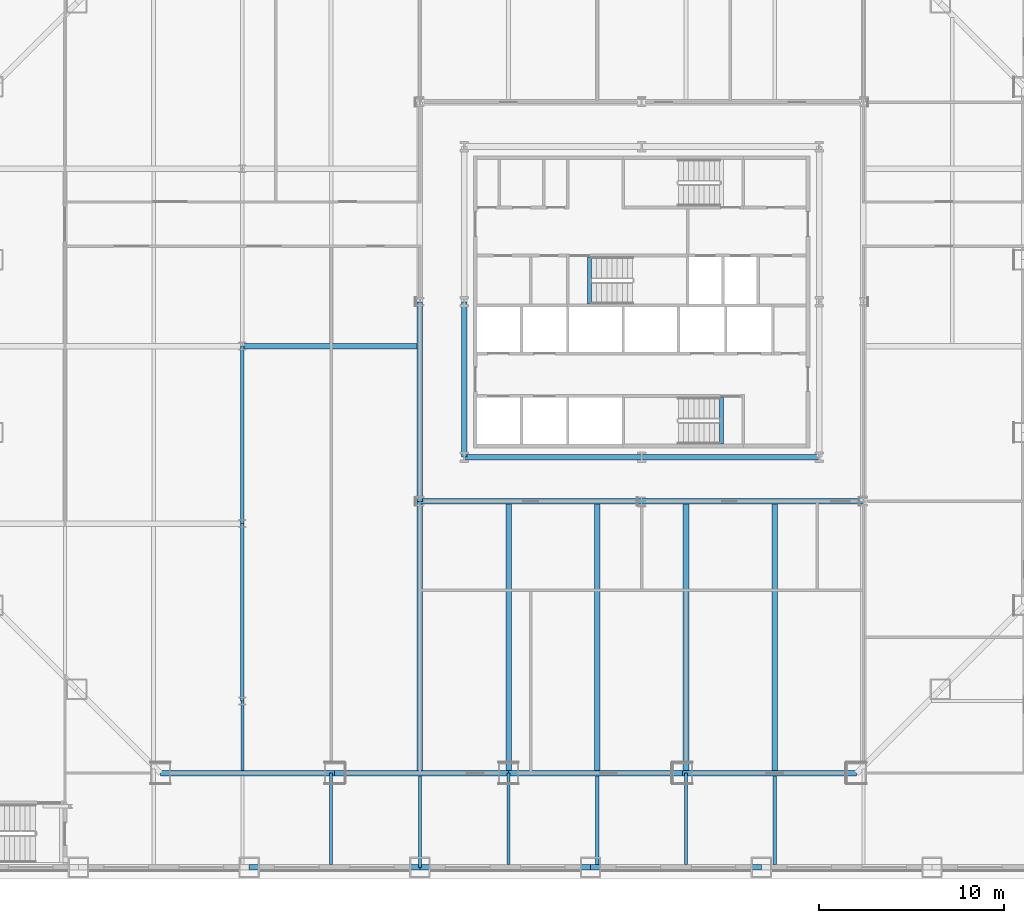
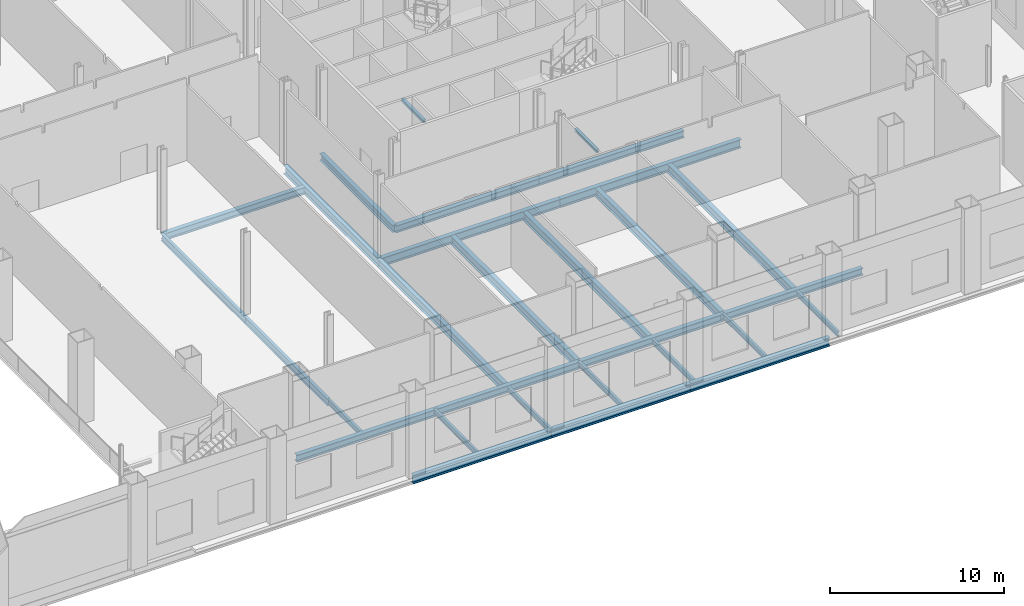
# One storey, part 10 of 31: 30 beams.
"""IFC4 building model written with IfcOpenShell, lengths in metres."""

from ifc_helpers import new_model, si_unit, direction, frame, origin, origin_2d, place, context, subcontext, project, spatial, i_section, extrude, material, material_profile, profile_set, type_object, element, save


model = new_model("IFC4")

# Units and contexts
model_context = context("Model", 3, precision=1e-05, world=origin(), true_north=direction((0.0, 1.0)))
body_context = subcontext(model_context, "Body", "Model", "MODEL_VIEW")
ifc_project = project(units=[si_unit("LENGTHUNIT", "METRE"), si_unit("AREAUNIT", "SQUARE_METRE"), si_unit("VOLUMEUNIT", "CUBIC_METRE"), si_unit("PLANEANGLEUNIT", "RADIAN"), si_unit("MASSUNIT", "GRAM", prefix="KILO")], contexts=[model_context])

# Site, building, storey
site_placement = place(None, origin())
site = spatial("IfcSite", under=ifc_project, at=site_placement, CompositionType="ELEMENT")
building_placement = place(site_placement, origin())
building = spatial("IfcBuilding", under=site, at=building_placement, Name="Cairn Pilgrim Tower", CompositionType="ELEMENT")
storey_placement = place(building_placement, frame((0.0, 0.0, 15.0)))
storey = spatial("IfcBuildingStorey", under=building, at=storey_placement, Name="L02", CompositionType="ELEMENT", Elevation=15.0)

# Beams
ifc_material = material(Name="Structural steel S355J2", Category="steel")
ifc_material_profile_1 = material_profile(ifc_material, i_section(OverallWidth=0.300048828125, OverallDepth=0.60009765625, WebThickness=0.015380859375, FlangeThickness=0.030029296875, FilletRadius=0.027099609375, at=origin_2d()), Name="HEB 600")
ifc_profile_set_1 = profile_set([ifc_material_profile_1], Name="Structural steel S355J2")
beam_type_1 = type_object("IfcBeamType", Name="PODIUM BEAM HE 600 B", PredefinedType="BEAM", material=ifc_profile_set_1)
for number, where, z_axis, x_axis, name in (
    (1, (-4.800048828125, -22.947998046875, -0.5), (0.0, 1.0, 0.0), (-1.0, 0.0, 0.0), "PODIUM BEAM PB-HE600B"),
    (2, (0.0, -23.10009765625, -0.5), (0.0, 1.0, 0.0), (-1.0, 0.0, 0.0), "PODIUM BEAM PB-HE600B"),
):
    element("IfcBeam", number, at=place(storey_placement, frame(where, z_axis=z_axis, x_axis=x_axis)), inside=storey, type_object=beam_type_1, Name=name, PredefinedType="BEAM", context=body_context, shape_type="SweptSolid", body=[
        extrude(i_section(OverallWidth=0.300048828125, OverallDepth=0.60009765625, WebThickness=0.015380859375, FlangeThickness=0.030029296875, FilletRadius=0.027099609375, at=origin_2d()), origin(), (0.0, 0.0, 1.0), 14.548095703125),
    ])
beam_1_placement = place(storey_placement, frame((4.800048828125, -22.947998046875, -0.5), z_axis=(0.0, 1.0, 0.0), x_axis=(-1.0, 0.0, 0.0)))
element("IfcBeam", 3, at=beam_1_placement, inside=storey, type_object=beam_type_1, Name="PODIUM BEAM PB-HE600B", PredefinedType="BEAM", context=body_context, shape_type="SweptSolid", body=[
    extrude(i_section(OverallWidth=0.300048828125, OverallDepth=0.60009765625, WebThickness=0.015380859375, FlangeThickness=0.030029296875, FilletRadius=0.027099609375, at=origin_2d()), origin(), (0.0, 0.0, 1.0), 14.39599609375),
])
beam_2_placement = place(storey_placement, frame((9.60009765625, -23.10009765625, -0.5), z_axis=(0.0, 1.0, 0.0), x_axis=(-1.0, 0.0, 0.0)))
element("IfcBeam", 4, at=beam_2_placement, inside=storey, type_object=beam_type_1, Name="PODIUM BEAM PB-HE600B", PredefinedType="BEAM", context=body_context, shape_type="SweptSolid", body=[
    extrude(i_section(OverallWidth=0.300048828125, OverallDepth=0.60009765625, WebThickness=0.015380859375, FlangeThickness=0.030029296875, FilletRadius=0.027099609375, at=origin_2d()), origin(), (0.0, 0.0, 1.0), 14.548095703125),
])
beam_3_placement = place(storey_placement, frame((14.39990234375, -22.947998046875, -0.5), z_axis=(0.0, 1.0, 0.0), x_axis=(-1.0, 0.0, 0.0)))
element("IfcBeam", 5, at=beam_3_placement, inside=storey, type_object=beam_type_1, Name="PODIUM BEAM PB-HE600B", PredefinedType="BEAM", context=body_context, shape_type="SweptSolid", body=[
    extrude(i_section(OverallWidth=0.300048828125, OverallDepth=0.60009765625, WebThickness=0.015380859375, FlangeThickness=0.030029296875, FilletRadius=0.027099609375, at=origin_2d()), origin(), (0.0, 0.0, 1.0), 14.39599609375),
])
ifc_material_profile_2 = material_profile(ifc_material, i_section(OverallWidth=0.169921875, OverallDepth=0.360107421875, WebThickness=0.008056640625, FlangeThickness=0.0126953125, FilletRadius=0.01806640625, at=origin_2d()), Name="IPE 360")
ifc_profile_set_2 = profile_set([ifc_material_profile_2], Name="Structural steel S355J2")
beam_type_2 = type_object("IfcBeamType", Name="PODIUM BEAM IPE 360", PredefinedType="BEAM", material=ifc_profile_set_2)
beam_4_placement = place(storey_placement, frame((-14.39990234375, -22.947998046875, -0.3798828125), z_axis=(0.0, 1.0, 0.0), x_axis=(-1.0, 0.0, 0.0)))
element("IfcBeam", 6, at=beam_4_placement, inside=storey, type_object=beam_type_2, Name="PODIUM BEAM PB-IPE360", PredefinedType="BEAM", context=body_context, shape_type="SweptSolid", body=[
    extrude(i_section(OverallWidth=0.169921875, OverallDepth=0.360107421875, WebThickness=0.008056640625, FlangeThickness=0.0126953125, FilletRadius=0.01806640625, at=origin_2d()), origin(), (0.0, 0.0, 1.0), 3.748046875),
])
for number, where, z_axis, x_axis, name in (
    (7, (-9.60009765625, -28.048095703125, -0.3798828125), (0.0, 1.0, 0.0), (-1.0, 0.0, 0.0), "PODIUM BEAM PB-IPE360"),
    (8, (-4.800048828125, -28.199951171875, -0.3798828125), (0.0, 1.0, 0.0), (-1.0, 0.0, 0.0), "PODIUM BEAM PB-IPE360"),
    (9, (0.0, -28.048095703125, -0.3798828125), (0.0, 1.0, 0.0), (-1.0, 0.0, 0.0), "PODIUM BEAM PB-IPE360"),
):
    element("IfcBeam", number, at=place(storey_placement, frame(where, z_axis=z_axis, x_axis=x_axis)), inside=storey, type_object=beam_type_2, Name=name, PredefinedType="BEAM", context=body_context, shape_type="SweptSolid", body=[
        extrude(i_section(OverallWidth=0.169921875, OverallDepth=0.360107421875, WebThickness=0.008056640625, FlangeThickness=0.0126953125, FilletRadius=0.01806640625, at=origin_2d()), origin(), (0.0, 0.0, 1.0), 4.947998046875),
    ])
beam_5_placement = place(storey_placement, frame((4.800048828125, -28.048095703125, -0.3798828125), z_axis=(0.0, 1.0, 0.0), x_axis=(-1.0, 0.0, 0.0)))
element("IfcBeam", 10, at=beam_5_placement, inside=storey, type_object=beam_type_2, Name="PODIUM BEAM PB-IPE360", PredefinedType="BEAM", context=body_context, shape_type="SweptSolid", body=[
    extrude(i_section(OverallWidth=0.169921875, OverallDepth=0.360107421875, WebThickness=0.008056640625, FlangeThickness=0.0126953125, FilletRadius=0.01806640625, at=origin_2d()), origin(), (0.0, 0.0, 1.0), 4.796142578125),
])
beam_6_placement = place(storey_placement, frame((9.60009765625, -28.048095703125, -0.3798828125), z_axis=(0.0, 1.0, 0.0), x_axis=(-1.0, 0.0, 0.0)))
element("IfcBeam", 11, at=beam_6_placement, inside=storey, type_object=beam_type_2, Name="PODIUM BEAM PB-IPE360", PredefinedType="BEAM", context=body_context, shape_type="SweptSolid", body=[
    extrude(i_section(OverallWidth=0.169921875, OverallDepth=0.360107421875, WebThickness=0.008056640625, FlangeThickness=0.0126953125, FilletRadius=0.01806640625, at=origin_2d()), origin(), (0.0, 0.0, 1.0), 4.947998046875),
])
beam_7_placement = place(storey_placement, frame((14.39990234375, -28.048095703125, -0.3798828125), z_axis=(0.0, 1.0, 0.0), x_axis=(-1.0, 0.0, 0.0)))
element("IfcBeam", 12, at=beam_7_placement, inside=storey, type_object=beam_type_2, Name="PODIUM BEAM PB-IPE360", PredefinedType="BEAM", context=body_context, shape_type="SweptSolid", body=[
    extrude(i_section(OverallWidth=0.169921875, OverallDepth=0.360107421875, WebThickness=0.008056640625, FlangeThickness=0.0126953125, FilletRadius=0.01806640625, at=origin_2d()), origin(), (0.0, 0.0, 1.0), 4.796142578125),
])
ifc_material_profile_3 = material_profile(ifc_material, i_section(OverallWidth=0.199951171875, OverallDepth=0.5, WebThickness=0.01025390625, FlangeThickness=0.01611328125, FilletRadius=0.02099609375, at=origin_2d()), Name="IPE 500")
ifc_profile_set_3 = profile_set([ifc_material_profile_3], Name="Structural steel S355J2")
beam_type_3 = type_object("IfcBeamType", Name="PODIUM BEAM IPE 500", PredefinedType="BEAM", material=ifc_profile_set_3)
beam_8_placement = place(storey_placement, frame((-14.39990234375, -19.199951171875, -0.449951171875), z_axis=(0.0, 1.0, 0.0), x_axis=(-1.0, 0.0, 0.0)))
element("IfcBeam", 13, at=beam_8_placement, inside=storey, type_object=beam_type_3, Name="PODIUM BEAM PB-IPE500", PredefinedType="BEAM", context=body_context, shape_type="SweptSolid", body=[
    extrude(i_section(OverallWidth=0.199951171875, OverallDepth=0.5, WebThickness=0.01025390625, FlangeThickness=0.01611328125, FilletRadius=0.02099609375, at=origin_2d()), origin(), (0.0, 0.0, 1.0), 9.599853515625),
])
beam_9_placement = place(storey_placement, frame((-14.39990234375, -9.60009765625, -0.449951171875), z_axis=(0.0, 1.0, 0.0), x_axis=(-1.0, 0.0, 0.0)))
element("IfcBeam", 14, at=beam_9_placement, inside=storey, type_object=beam_type_3, Name="PODIUM BEAM PB-IPE500", PredefinedType="BEAM", context=body_context, shape_type="SweptSolid", body=[
    extrude(i_section(OverallWidth=0.199951171875, OverallDepth=0.5, WebThickness=0.01025390625, FlangeThickness=0.01611328125, FilletRadius=0.02099609375, at=origin_2d()), origin(), (0.0, 0.0, 1.0), 9.60009765625),
])
ifc_material_profile_4 = material_profile(ifc_material, i_section(OverallWidth=0.300048828125, OverallDepth=0.60009765625, WebThickness=0.015380859375, FlangeThickness=0.030029296875, FilletRadius=0.027099609375, at=origin_2d()), Name="HEB 600")
ifc_profile_set_4 = profile_set([ifc_material_profile_4], Name="Structural steel S355J2")
beam_type_4 = type_object("IfcBeamType", Name="PODIUM EDGE GIRDER HE 600 B", PredefinedType="BEAM", material=ifc_profile_set_4)
beam_10_placement = place(storey_placement, frame((-14.037841796875, -28.199951171875, -0.5), z_axis=(1.0, 0.0, 0.0), x_axis=(0.0, 1.0, 0.0)))
element("IfcBeam", 15, at=beam_10_placement, inside=storey, type_object=beam_type_4, Name="PODIUM EDGE GIRDER PE-HE600B", PredefinedType="BEAM", context=body_context, shape_type="SweptSolid", body=[
    extrude(i_section(OverallWidth=0.300048828125, OverallDepth=0.60009765625, WebThickness=0.015380859375, FlangeThickness=0.030029296875, FilletRadius=0.027099609375, at=origin_2d()), origin(), (0.0, 0.0, 1.0), 9.23779296875),
])
beam_11_placement = place(storey_placement, frame((-4.800048828125, -28.199951171875, -0.5), z_axis=(1.0, 0.0, 0.0), x_axis=(0.0, 1.0, 0.0)))
element("IfcBeam", 16, at=beam_11_placement, inside=storey, type_object=beam_type_4, Name="PODIUM EDGE GIRDER PE-HE600B", PredefinedType="BEAM", context=body_context, shape_type="SweptSolid", body=[
    extrude(i_section(OverallWidth=0.300048828125, OverallDepth=0.60009765625, WebThickness=0.015380859375, FlangeThickness=0.030029296875, FilletRadius=0.027099609375, at=origin_2d()), origin(), (0.0, 0.0, 1.0), 9.238037109375),
])
beam_12_placement = place(storey_placement, frame((4.43798828125, -28.199951171875, -0.5), z_axis=(1.0, 0.0, 0.0), x_axis=(0.0, 1.0, 0.0)))
element("IfcBeam", 17, at=beam_12_placement, inside=storey, type_object=beam_type_4, Name="PODIUM EDGE GIRDER PE-HE600B", PredefinedType="BEAM", context=body_context, shape_type="SweptSolid", body=[
    extrude(i_section(OverallWidth=0.300048828125, OverallDepth=0.60009765625, WebThickness=0.015380859375, FlangeThickness=0.030029296875, FilletRadius=0.027099609375, at=origin_2d()), origin(), (0.0, 0.0, 1.0), 9.23779296875),
])
ifc_material_profile_5 = material_profile(ifc_material, i_section(OverallWidth=0.300048828125, OverallDepth=0.5, WebThickness=0.014404296875, FlangeThickness=0.028076171875, FilletRadius=0.027099609375, at=origin_2d()), Name="HEB 500")
ifc_profile_set_5 = profile_set([ifc_material_profile_5], Name="Structural steel S355J2")
beam_type_5 = type_object("IfcBeamType", Name="PODIUM GIRDER HE 500 B", PredefinedType="BEAM", material=ifc_profile_set_5)
for number, where, z_axis, x_axis, name in (
    (18, (-18.8271484375, -23.10009765625, -0.449951171875), (1.0, 0.0, 0.0), (0.0, 1.0, 0.0), "PODIUM GIRDER PG-HE500B"),
    (19, (-9.41357421875, -23.10009765625, -0.449951171875), (1.0, 0.0, 0.0), (0.0, 1.0, 0.0), "PODIUM GIRDER PG-HE500B"),
    (20, (0.0, -23.10009765625, -0.449951171875), (1.0, 0.0, 0.0), (0.0, 1.0, 0.0), "PODIUM GIRDER PG-HE500B"),
    (21, (9.41357421875, -23.10009765625, -0.449951171875), (1.0, 0.0, 0.0), (0.0, 1.0, 0.0), "PODIUM GIRDER PG-HE500B"),
):
    element("IfcBeam", number, at=place(storey_placement, frame(where, z_axis=z_axis, x_axis=x_axis)), inside=storey, type_object=beam_type_5, Name=name, PredefinedType="BEAM", context=body_context, shape_type="SweptSolid", body=[
        extrude(i_section(OverallWidth=0.300048828125, OverallDepth=0.5, WebThickness=0.014404296875, FlangeThickness=0.028076171875, FilletRadius=0.027099609375, at=origin_2d()), origin(), (0.0, 0.0, 1.0), 9.41357421875),
    ])
beam_13_placement = place(storey_placement, frame((-2.39990234375, 2.39990234375, -0.449951171875), z_axis=(0.0, -1.0, 0.0), x_axis=(1.0, 0.0, 0.0)))
element("IfcBeam", 22, at=beam_13_placement, inside=storey, type_object=beam_type_5, Name="PODIUM GIRDER PG-HE500B", PredefinedType="BEAM", context=body_context, shape_type="SweptSolid", body=[
    extrude(i_section(OverallWidth=0.300048828125, OverallDepth=0.5, WebThickness=0.014404296875, FlangeThickness=0.028076171875, FilletRadius=0.027099609375, at=origin_2d()), origin(), (0.0, 0.0, 1.0), 8.39990234375),
])
beam_14_placement = place(storey_placement, frame((-2.39990234375, -6.0, -0.449951171875), z_axis=(1.0, 0.0, 0.0), x_axis=(0.0, 1.0, 0.0)))
element("IfcBeam", 23, at=beam_14_placement, inside=storey, type_object=beam_type_5, Name="PODIUM GIRDER PG-HE500B", PredefinedType="BEAM", context=body_context, shape_type="SweptSolid", body=[
    extrude(i_section(OverallWidth=0.300048828125, OverallDepth=0.5, WebThickness=0.014404296875, FlangeThickness=0.028076171875, FilletRadius=0.027099609375, at=origin_2d()), origin(), (0.0, 0.0, 1.0), 9.599853515625),
])
beam_15_placement = place(storey_placement, frame((7.199951171875, -6.0, -0.449951171875), z_axis=(1.0, 0.0, 0.0), x_axis=(0.0, 1.0, 0.0)))
element("IfcBeam", 24, at=beam_15_placement, inside=storey, type_object=beam_type_5, Name="PODIUM GIRDER PG-HE500B", PredefinedType="BEAM", context=body_context, shape_type="SweptSolid", body=[
    extrude(i_section(OverallWidth=0.300048828125, OverallDepth=0.5, WebThickness=0.014404296875, FlangeThickness=0.028076171875, FilletRadius=0.027099609375, at=origin_2d()), origin(), (0.0, 0.0, 1.0), 9.60009765625),
])
beam_16_placement = place(storey_placement, frame((-14.39990234375, 0.0, -0.449951171875), z_axis=(1.0, 0.0, 0.0), x_axis=(0.0, 1.0, 0.0)))
element("IfcBeam", 25, at=beam_16_placement, inside=storey, type_object=beam_type_5, Name="PODIUM GIRDER PG-HE500B", PredefinedType="BEAM", context=body_context, shape_type="SweptSolid", body=[
    extrude(i_section(OverallWidth=0.300048828125, OverallDepth=0.5, WebThickness=0.014404296875, FlangeThickness=0.028076171875, FilletRadius=0.027099609375, at=origin_2d()), origin(), (0.0, 0.0, 1.0), 9.447998046875),
])
ifc_material_profile_6 = material_profile(ifc_material, i_section(OverallWidth=0.300048828125, OverallDepth=0.60009765625, WebThickness=0.015380859375, FlangeThickness=0.030029296875, FilletRadius=0.027099609375, at=origin_2d()), Name="HEB 600")
ifc_profile_set_6 = profile_set([ifc_material_profile_6], Name="Structural steel S355J2")
beam_type_6 = type_object("IfcBeamType", Name="PODIUM GIRDER HE 600 B", PredefinedType="BEAM", material=ifc_profile_set_6)
beam_17_placement = place(storey_placement, frame((-4.800048828125, 2.39990234375, -0.5), z_axis=(0.0, -1.0, 0.0), x_axis=(1.0, 0.0, 0.0)))
element("IfcBeam", 26, at=beam_17_placement, inside=storey, type_object=beam_type_6, Name="PODIUM GIRDER PG-HE600B", PredefinedType="BEAM", context=body_context, shape_type="SweptSolid", body=[
    extrude(i_section(OverallWidth=0.300048828125, OverallDepth=0.60009765625, WebThickness=0.015380859375, FlangeThickness=0.030029296875, FilletRadius=0.027099609375, at=origin_2d()), origin(), (0.0, 0.0, 1.0), 10.7998046875),
])
for number, where, z_axis, x_axis, name in (
    (27, (-4.800048828125, -8.39990234375, -0.5), (1.0, 0.0, 0.0), (0.0, 1.0, 0.0), "PODIUM GIRDER PG-HE600B"),
    (28, (7.199951171875, -8.39990234375, -0.5), (1.0, 0.0, 0.0), (0.0, 1.0, 0.0), "PODIUM GIRDER PG-HE600B"),
):
    element("IfcBeam", number, at=place(storey_placement, frame(where, z_axis=z_axis, x_axis=x_axis)), inside=storey, type_object=beam_type_6, Name=name, PredefinedType="BEAM", context=body_context, shape_type="SweptSolid", body=[
        extrude(i_section(OverallWidth=0.300048828125, OverallDepth=0.60009765625, WebThickness=0.015380859375, FlangeThickness=0.030029296875, FilletRadius=0.027099609375, at=origin_2d()), origin(), (0.0, 0.0, 1.0), 12.0),
    ])
ifc_material_profile_7 = material_profile(ifc_material, i_section(OverallWidth=0.199951171875, OverallDepth=0.199951171875, WebThickness=0.009033203125, FlangeThickness=0.014892578125, FilletRadius=0.01806640625, at=origin_2d()), Name="HE 200 B")
ifc_profile_set_7 = profile_set([ifc_material_profile_7], Name="Structural steel S355J2")
beam_type_7 = type_object("IfcBeamType", Name="STAIR LANDING BEAM HE 200 B", PredefinedType="BEAM", material=ifc_profile_set_7)
beam_18_placement = place(storey_placement, frame((11.5244140625, -2.77490234375, -0.300048828125), z_axis=(0.0, -1.0, 0.0), x_axis=(1.0, 0.0, 0.0)))
element("IfcBeam", 29, at=beam_18_placement, inside=storey, type_object=beam_type_7, Name="STAIR LANDING BEAM LD-HE200B", PredefinedType="BEAM", context=body_context, shape_type="SweptSolid", body=[
    extrude(i_section(OverallWidth=0.199951171875, OverallDepth=0.199951171875, WebThickness=0.009033203125, FlangeThickness=0.014892578125, FilletRadius=0.01806640625, at=origin_2d()), origin(), (0.0, 0.0, 1.0), 2.525146484375),
])
beam_19_placement = place(storey_placement, frame((4.37548828125, 2.27490234375, -0.300048828125), z_axis=(0.0, 1.0, 0.0), x_axis=(-1.0, 0.0, 0.0)))
element("IfcBeam", 30, at=beam_19_placement, inside=storey, type_object=beam_type_7, Name="STAIR LANDING BEAM LD-HE200B", PredefinedType="BEAM", context=body_context, shape_type="SweptSolid", body=[
    extrude(i_section(OverallWidth=0.199951171875, OverallDepth=0.199951171875, WebThickness=0.009033203125, FlangeThickness=0.014892578125, FilletRadius=0.01806640625, at=origin_2d()), origin(), (0.0, 0.0, 1.0), 2.550048828125),
])

save(model, "model.ifc")
